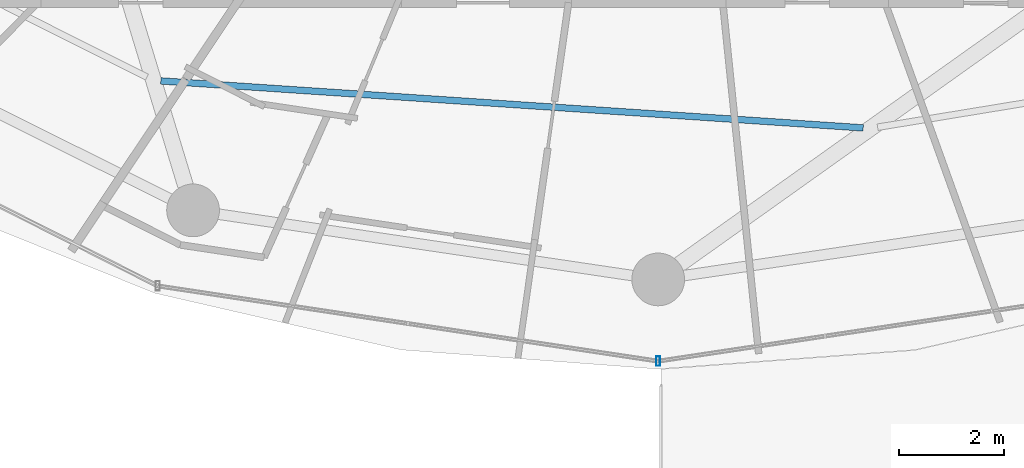
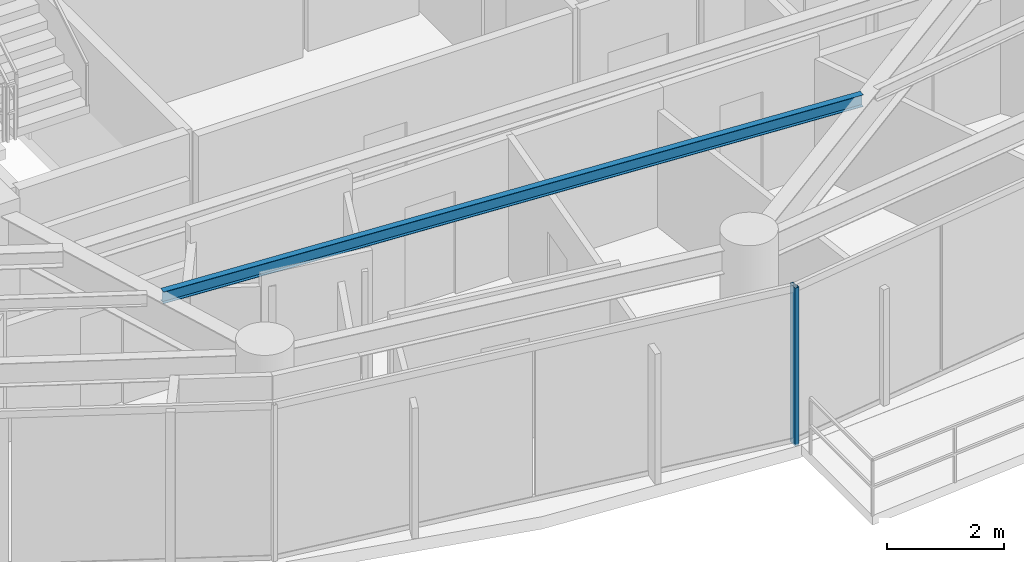
# One storey, part 6 of 30: 1 beam, 1 member, 1 element without a shape of its own.
"""IFC4 building model written with IfcOpenShell, lengths in metres."""

from ifc_helpers import new_model, si_unit, direction, frame, origin, origin_2d, place, context, subcontext, project, spatial, hollow_rectangle, i_section, extrude, material, material_profile, profile_set, type_object, element, aggregate, save


model = new_model("IFC4")

# Units and contexts
model_context = context("Model", 3, precision=1e-05, world=origin(), true_north=direction((0.0, 1.0)))
body_context = subcontext(model_context, "Body", "Model", "MODEL_VIEW")
ifc_project = project(units=[si_unit("LENGTHUNIT", "METRE"), si_unit("AREAUNIT", "SQUARE_METRE"), si_unit("VOLUMEUNIT", "CUBIC_METRE"), si_unit("PLANEANGLEUNIT", "RADIAN"), si_unit("MASSUNIT", "GRAM", prefix="KILO")], contexts=[model_context])

# Site, building, storey
site_placement = place(None, origin())
site = spatial("IfcSite", under=ifc_project, at=site_placement, CompositionType="ELEMENT")
building_placement = place(site_placement, origin())
building = spatial("IfcBuilding", under=site, at=building_placement, Name="Vorneva Point Tower", CompositionType="ELEMENT")
storey_placement = place(building_placement, frame((0.0, 0.0, 153.60009765625)))
storey = spatial("IfcBuildingStorey", under=building, at=storey_placement, Name="L41", CompositionType="ELEMENT", Elevation=153.60009765625)

# Beam
ifc_material_1 = material(Name="Steel S355", Category="steel")
ifc_material_profile_1 = material_profile(ifc_material_1, i_section(OverallWidth=0.1240234375, OverallDepth=0.248046875, WebThickness=0.0048828125, FlangeThickness=0.008056640625, at=origin_2d()), Name="25B1")
ifc_profile_set_1 = profile_set([ifc_material_profile_1], Name="Steel S355")
beam_type = type_object("IfcBeamType", Name="BM-JST-25B1", PredefinedType="JOIST", material=ifc_profile_set_1)
beam_placement = place(storey_placement, frame((28.567138671875, 12.564453125, 3.115966796875), z_axis=(0.997769675218, -0.066750844307, 0.0), x_axis=(0.066750844307, 0.997769675218, 0.0)))
element("IfcBeam", 1, at=beam_placement, inside=storey, type_object=beam_type, Name="L41 Secondary Floor Beam 1.12", PredefinedType="JOIST", context=body_context, shape_type="SweptSolid", body=[
    extrude(i_section(OverallWidth=0.1240234375, OverallDepth=0.248046875, WebThickness=0.0048828125, FlangeThickness=0.008056640625, at=origin_2d()), origin(), (0.0, 0.0, 1.0), 13.349853515625),
])

# Curtain wall, member
ifc_material_2 = material(Name="Pale anodised aluminium", Category="aluminium")
curtain_wall_type = type_object("IfcCurtainWallType", Name="CW-RES-SYS", PredefinedType="NOTDEFINED", material=ifc_material_2)
curtain_wall_placement = place(storey_placement, origin())
curtain_wall = element("IfcCurtainWall", 2, at=curtain_wall_placement, inside=storey, type_object=curtain_wall_type, Name="L41 Unitised Curtain Wall CW-L41-R04", PredefinedType="NOTDEFINED")
ifc_material_profile_2 = material_profile(ifc_material_2, hollow_rectangle(XDim=0.074951171875, YDim=0.179931640625, WallThickness=0.00390625, at=origin_2d()), Name="AL-MUL 180x75x4")
ifc_profile_set_2 = profile_set([ifc_material_profile_2], Name="Pale anodised aluminium")
member_type = type_object("IfcMemberType", Name="CW-MUL-180", PredefinedType="MULLION", material=ifc_profile_set_2)
member_placement = place(storey_placement, frame((38.0, 7.25, -0.0400390625), z_axis=(0.0, 0.0, 1.0), x_axis=(1.0, 0.0, 0.0)))
member = element("IfcMember", 3, at=member_placement, type_object=member_type, Name="CW-L41-R04 Mullion 03", PredefinedType="MULLION", context=body_context, shape_type="SweptSolid", body=[
    extrude(hollow_rectangle(XDim=0.074951171875, YDim=0.179931640625, WallThickness=0.00390625, at=origin_2d()), origin(), (0.0, 0.0, 1.0), 3.31005859375),
])
aggregate(curtain_wall, [member])

save(model, "model.ifc")
